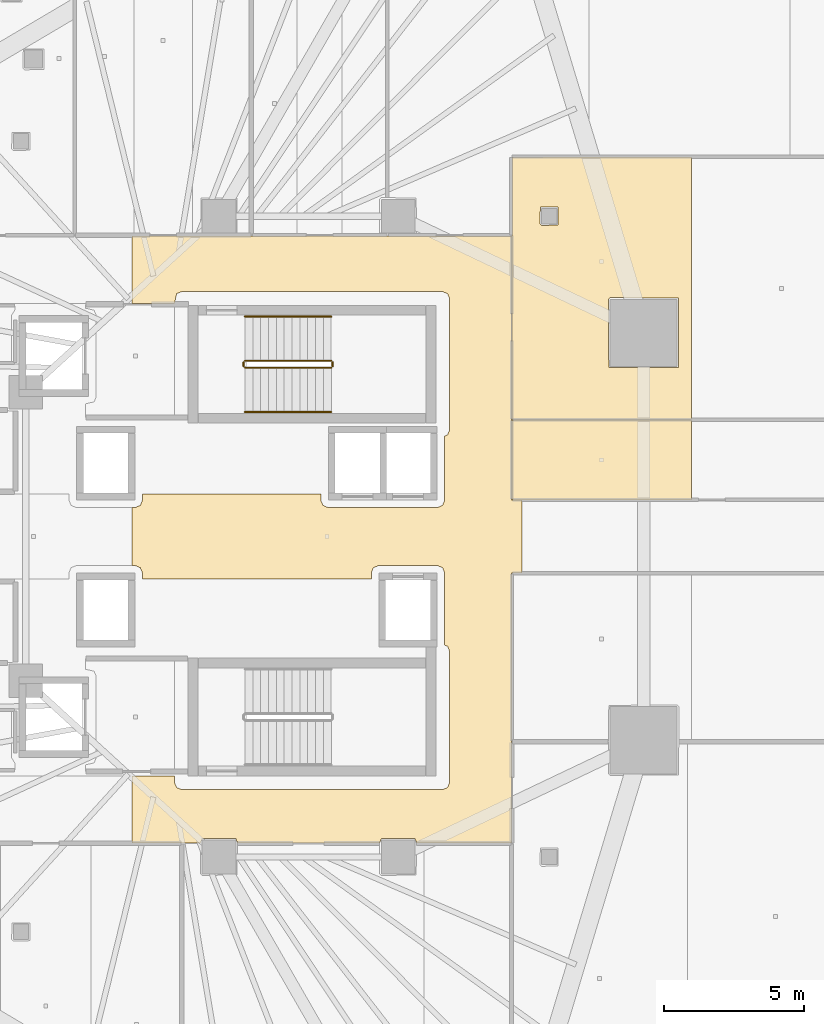
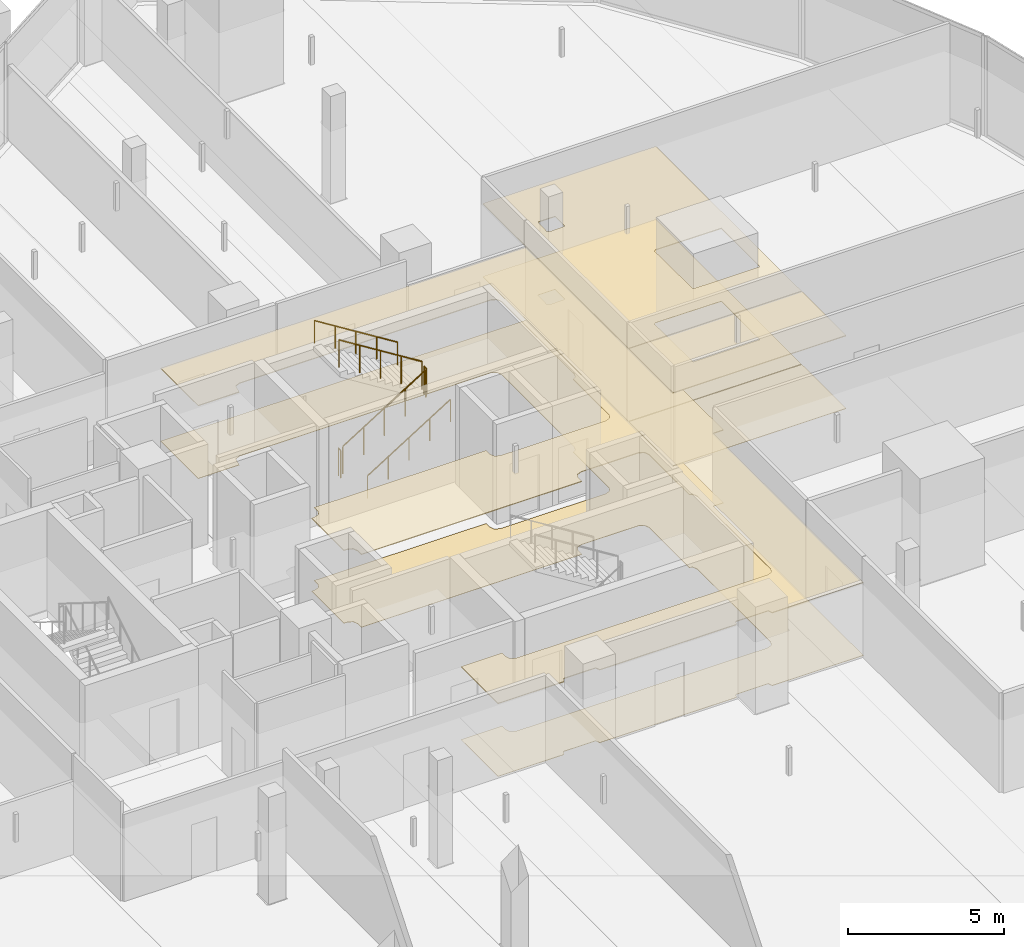
# One storey, part 44 of 45: 6 coverings, 6 railings.
"""IFC4 building model written with IfcOpenShell, lengths in metres."""

import ifcopenshell
import ifcopenshell.guid

model = None  # the IFC model being written
_history = None  # IfcOwnerHistory: only IFC2X3 demands one
_inside = {}  # id of a spatial element -> (the spatial element, [elements in it])
_under = {}  # id of a project, library or spatial element -> (it, [spatial elements below it])
_declared = {}  # id of a project -> (the project, [libraries it declares])
_typed = {}  # id of a type object -> (the type object, [elements of that type])
_made_of = {}  # id of a material, layer set ... -> (it, [elements and type objects made of it])


def new_model(schema):
    """Start an empty IFC model of exactly this schema.

    Asked for "IFC4X3", IfcOpenShell would pick the latest addendum, in which some entities
    have other attributes; the version numbers below select the first issue.
    IFC2X3 requires an IfcOwnerHistory on every rooted entity: one is made here for all.
    """
    global model, _history
    if schema == "IFC4X3":
        model = ifcopenshell.file(schema_version=(4, 3, 0, 0))
    else:
        model = ifcopenshell.file(schema=schema)
    _inside.clear()
    _under.clear()
    _declared.clear()
    _typed.clear()
    _made_of.clear()
    _history = None
    if model.schema == "IFC2X3":
        org = make("IfcOrganization", Name="unknown")
        user = make(
            "IfcPersonAndOrganization",
            ThePerson=make("IfcPerson", FamilyName="unknown"),
            TheOrganization=org,
        )
        app = make(
            "IfcApplication",
            ApplicationDeveloper=org,
            Version="unknown",
            ApplicationFullName="unknown",
            ApplicationIdentifier="unknown",
        )
        _history = make(
            "IfcOwnerHistory",
            OwningUser=user,
            OwningApplication=app,
            ChangeAction="ADDED",
            CreationDate=0,
        )
    return model


def make(cls, **values):
    """One entity of the class cls with the attributes given. An attribute that is None is left unset."""
    return model.create_entity(
        cls, **{name: value for name, value in values.items() if value is not None}
    )


def rooted(cls, **values):
    """An entity with a GlobalId (a new one), such as an element, a storey or a relation."""
    return make(cls, GlobalId=ifcopenshell.guid.new(), OwnerHistory=_history, **values)


def si_unit(unit_type, name, prefix=None):
    """IfcSIUnit, for example si_unit("LENGTHUNIT", "METRE", prefix="MILLI")."""
    return make("IfcSIUnit", UnitType=unit_type, Prefix=prefix, Name=name)


def assignment(units):
    """IfcUnitAssignment: the units of a project."""
    return None if units is None else make("IfcUnitAssignment", Units=units)


def point(xyz):
    """IfcCartesianPoint."""
    return None if xyz is None else make("IfcCartesianPoint", Coordinates=xyz)


def direction(xyz):
    """IfcDirection."""
    return None if xyz is None else make("IfcDirection", DirectionRatios=xyz)


def frame(location, z_axis=None, x_axis=None):
    """IfcAxis2Placement3D, a coordinate frame: its origin and axes. An axis left out is left unset."""
    return make(
        "IfcAxis2Placement3D",
        Location=point(location),
        Axis=direction(z_axis),
        RefDirection=direction(x_axis),
    )


def frame_2d(location, x_axis=None):
    """IfcAxis2Placement2D, a coordinate frame in the plane: its origin and x axis."""
    return make(
        "IfcAxis2Placement2D", Location=point(location), RefDirection=direction(x_axis)
    )


def origin():
    """The frame at (0, 0, 0) with its axes left unset."""
    return frame((0.0, 0.0, 0.0))


def origin_2d():
    """The frame at (0, 0) in the plane with its x axis left unset."""
    return frame_2d((0.0, 0.0))


def place(relative_to, where):
    """IfcLocalPlacement: puts the frame where relative to a parent placement (None: the world)."""
    return make(
        "IfcLocalPlacement", PlacementRelTo=relative_to, RelativePlacement=where
    )


def context(
    kind, dimensions, precision=None, world=None, true_north=None, identifier=None
):
    """IfcGeometricRepresentationContext, for example the 3D "Model" context."""
    return make(
        "IfcGeometricRepresentationContext",
        ContextIdentifier=identifier,
        ContextType=kind,
        CoordinateSpaceDimension=dimensions,
        Precision=precision,
        WorldCoordinateSystem=world,
        TrueNorth=true_north,
    )


def subcontext(parent, identifier, kind, view, scale=None):
    """IfcGeometricRepresentationSubContext, for example "Body" below "Model"."""
    return make(
        "IfcGeometricRepresentationSubContext",
        ContextIdentifier=identifier,
        ContextType=kind,
        ParentContext=parent,
        TargetScale=scale,
        TargetView=view,
    )


def project(units=None, contexts=None):
    """IfcProject with its units and contexts."""
    return rooted(
        "IfcProject",
        Name="project",
        RepresentationContexts=contexts,
        UnitsInContext=assignment(units),
    )


def spatial(cls, under=None, at=None, **own):
    """A site, building, storey or space (cls), placed at a placement, below another one or the project."""
    s = rooted(cls, ObjectPlacement=at, **own)
    if under is not None:
        _under.setdefault(under.id(), (under, []))[1].append(s)
    return s


def polyline(points):
    """IfcPolyline through the points."""
    return make("IfcPolyline", Points=[point(p) for p in points])


def profile(cls, at=None, kind="AREA", **sizes):
    """A parametric profile (cls). Its sizes go by their IFC names, for example OverallWidth=200.0."""
    return make(cls, ProfileType=kind, Position=at, **sizes)


def circle(**sizes):
    """IfcCircleProfileDef."""
    return profile("IfcCircleProfileDef", **sizes)


def outline(outer, holes=None, kind="AREA"):
    """IfcArbitraryClosedProfileDef: a profile drawn as a closed curve; with holes, ...WithVoids."""
    if holes is None:
        return make("IfcArbitraryClosedProfileDef", ProfileType=kind, OuterCurve=outer)
    return make(
        "IfcArbitraryProfileDefWithVoids",
        ProfileType=kind,
        OuterCurve=outer,
        InnerCurves=holes,
    )


def extrude(swept, where, along, depth):
    """IfcExtrudedAreaSolid: the profile swept, set in the frame where, extruded along a direction by depth."""
    return make(
        "IfcExtrudedAreaSolid",
        SweptArea=swept,
        Position=where,
        ExtrudedDirection=direction(along),
        Depth=depth,
    )


def shape(context_of_items, identifier, shape_type, items):
    """IfcShapeRepresentation: the items that make up one representation, for example the "Body"."""
    return make(
        "IfcShapeRepresentation",
        ContextOfItems=context_of_items,
        RepresentationIdentifier=identifier,
        RepresentationType=shape_type,
        Items=items,
    )


def material(Name=None, Category=None):
    """IfcMaterial."""
    return make("IfcMaterial", Name=Name, Category=Category)


def layer(
    of_material, thickness, ventilated=None, Name=None, Category=None, Priority=None
):
    """IfcMaterialLayer: one layer of a wall or slab, of a material (None: an air gap)."""
    return make(
        "IfcMaterialLayer",
        Material=of_material,
        LayerThickness=thickness,
        IsVentilated=ventilated,
        Name=Name,
        Category=Category,
        Priority=Priority,
    )


def layer_set(layers, Name=None):
    """IfcMaterialLayerSet."""
    return make("IfcMaterialLayerSet", MaterialLayers=layers, LayerSetName=Name)


def made_of(thing, what):
    """Note that an element or type object is made of a material, layer set ...; save() writes the relation."""
    if what is not None:
        _made_of.setdefault(what.id(), (what, []))[1].append(thing)
    return thing


def type_object(cls, material=None, **own):
    """A type object (cls), such as IfcWallType, which elements share."""
    return made_of(rooted(cls, **own), material)


def element(
    cls,
    number,
    at=None,
    inside=None,
    cuts=None,
    type_object=None,
    material=None,
    context=None,
    identifier="Body",
    shape_type=None,
    held_by="IfcProductDefinitionShape",
    body=None,
    shapes=None,
    **own,
):
    """One element of the class cls, such as IfcWall. Its Tag is "e" and its number.

    at: its placement. inside: the storey or other place that contains it. cuts: it is an
    opening in that element (IfcRelVoidsElement). A single representation is given by context,
    identifier, shape_type and body (its items); several are given by shapes. held_by: the class
    of the entity that holds the representations. save() writes the other relations.
    """
    e = rooted(cls, Tag="e%d" % number, ObjectPlacement=at, **own)
    if body is not None:
        shapes = [shape(context, identifier, shape_type, body)]
    if shapes is not None:
        e.Representation = make(held_by, Representations=shapes)
    if inside is not None:
        _inside.setdefault(inside.id(), (inside, []))[1].append(e)
    if cuts is not None:
        rooted(
            "IfcRelVoidsElement", RelatingBuildingElement=cuts, RelatedOpeningElement=e
        )
    if type_object is not None:
        _typed.setdefault(type_object.id(), (type_object, []))[1].append(e)
    return made_of(e, material)


def aggregate(whole, parts):
    """IfcRelAggregates: a whole, such as a stair, and the parts it consists of."""
    return rooted("IfcRelAggregates", RelatingObject=whole, RelatedObjects=parts)


def save(model, path):
    """Write the relations noted so far, then the file.

    IfcRelAggregates (storeys below a building ...), IfcRelContainedInSpatialStructure (elements
    in a storey), IfcRelDefinesByType, IfcRelAssociatesMaterial and IfcRelDeclares: one each for
    every whole, place, type object, material and project.
    """
    for whole, parts in _under.values():
        aggregate(whole, parts)
    for where, things in _inside.values():
        rooted(
            "IfcRelContainedInSpatialStructure",
            RelatedElements=things,
            RelatingStructure=where,
        )
    for kind, things in _typed.values():
        rooted("IfcRelDefinesByType", RelatedObjects=things, RelatingType=kind)
    for what, things in _made_of.values():
        rooted("IfcRelAssociatesMaterial", RelatedObjects=things, RelatingMaterial=what)
    for by, libraries in _declared.values():
        rooted("IfcRelDeclares", RelatingContext=by, RelatedDefinitions=libraries)
    model.write(path)


model = new_model("IFC4")

# Units and contexts
model_context = context("Model", 3, precision=1e-05, world=origin(), true_north=direction((0.0, 1.0)))
body_context = subcontext(model_context, "Body", "Model", "MODEL_VIEW")
ifc_project = project(units=[si_unit("LENGTHUNIT", "METRE"), si_unit("AREAUNIT", "SQUARE_METRE"), si_unit("VOLUMEUNIT", "CUBIC_METRE"), si_unit("PLANEANGLEUNIT", "RADIAN"), si_unit("MASSUNIT", "GRAM", prefix="KILO")], contexts=[model_context])

# Site, building, storey
site_placement = place(None, origin())
site = spatial("IfcSite", under=ifc_project, at=site_placement, CompositionType="ELEMENT")
building_placement = place(site_placement, origin())
building = spatial("IfcBuilding", under=site, at=building_placement, Name="Qorvath Tower", CompositionType="ELEMENT")
storey_placement = place(building_placement, frame((0.0, 0.0, 66.0)))
storey = spatial("IfcBuildingStorey", under=building, at=storey_placement, Name="L14", CompositionType="ELEMENT", Elevation=66.0)

# Coverings
ifc_material_1 = material(Name="Acoustic mineral fibre ceiling tile", Category="gypsum")
ifc_layer_1 = layer(ifc_material_1, 0.030029296875)
ifc_layer_set_1 = layer_set([ifc_layer_1], Name="COV-CEIL")
covering_type_1 = type_object("IfcCoveringType", Name="COV-CEIL", PredefinedType="CEILING", material=ifc_layer_set_1)
covering_1_placement = place(storey_placement, frame((0.0, 0.0, 2.85009765625)))
element("IfcCovering", 1, at=covering_1_placement, inside=storey, type_object=covering_type_1, Name="L14 Suspended Acoustic Ceiling 009", PredefinedType="CEILING", context=body_context, shape_type="SweptSolid", body=[
    extrude(outline(polyline([(-13.155029296875, 1.300048828125), (-13.155029296875, 10.7451171875), (-26.71240234375, 10.7451171875), (-26.71240234375, 8.324951171875), (-25.18994140625, 8.324951171875), (-25.11669921875, 8.6767578125), (-24.93994140625, 8.75), (-15.610107421875, 8.75), (-15.433349609375, 8.6767578125), (-15.360107421875, 8.5), (-15.360107421875, 3.81005859375), (-15.433349609375, 3.63330078125), (-15.5400390625, 3.589111328125), (-15.5400390625, 1.2900390625), (-15.61328125, 1.11328125), (-15.7900390625, 1.0400390625), (-19.7099609375, 1.0400390625), (-19.88671875, 1.11328125), (-19.9599609375, 1.2900390625), (-19.9599609375, 1.514892578125), (-26.340087890625, 1.514892578125), (-26.340087890625, 1.2900390625), (-26.413330078125, 1.11328125), (-26.590087890625, 1.0400390625), (-26.71240234375, 1.0400390625), (-26.71240234375, -1.0400390625), (-26.590087890625, -1.0400390625), (-26.413330078125, -1.11328125), (-26.340087890625, -1.2900390625), (-26.340087890625, -1.514892578125), (-18.159912109375, -1.514892578125), (-18.159912109375, -1.2900390625), (-18.086669921875, -1.11328125), (-17.909912109375, -1.0400390625), (-15.7900390625, -1.0400390625), (-15.61328125, -1.11328125), (-15.5400390625, -1.2900390625), (-15.5400390625, -3.879150390625), (-15.433349609375, -3.92333984375), (-15.360107421875, -4.10009765625), (-15.360107421875, -8.7900390625), (-15.433349609375, -8.966796875), (-15.610107421875, -9.0400390625), (-24.93994140625, -9.0400390625), (-25.11669921875, -8.966796875), (-25.18994140625, -8.7900390625), (-25.18994140625, -8.56396484375), (-26.71240234375, -8.564208984375), (-26.71240234375, -10.945068359375), (-24.260009765625, -10.945068359375), (-24.199951171875, -10.7900390625), (-23.0, -10.7900390625), (-22.93994140625, -10.945068359375), (-17.860107421875, -10.945068359375), (-17.800048828125, -10.7900390625), (-16.60009765625, -10.7900390625), (-16.5400390625, -10.945068359375), (-13.155029296875, -10.945068359375), (-13.153564453125, -1.29638671875), (-12.780029296875, -1.29638671875), (-12.780029296875, 1.2998046875), (-13.155029296875, 1.300048828125)])), origin(), (0.0, 0.0, 1.0), 0.030029296875),
])
covering_2_placement = place(storey_placement, frame((0.0, 0.0, 2.85009765625)))
element("IfcCovering", 2, at=covering_2_placement, inside=storey, type_object=covering_type_1, Name="L14 Suspended Acoustic Ceiling 031", PredefinedType="CEILING", context=body_context, shape_type="SweptSolid", body=[
    extrude(outline(polyline([(-6.71728515625, 1.31298828125), (-6.71728515625, 4.160888671875), (-13.136962890625, 4.160888671875), (-13.136962890625, 1.31298828125), (-6.71728515625, 1.31298828125)])), origin(), (0.0, 0.0, 1.0), 0.030029296875),
])
covering_3_placement = place(storey_placement, frame((0.0, 0.0, 2.85009765625)))
element("IfcCovering", 3, at=covering_3_placement, inside=storey, type_object=covering_type_1, Name="L14 Suspended Acoustic Ceiling 033", PredefinedType="CEILING", context=body_context, shape_type="SweptSolid", body=[
    extrude(outline(polyline([(-6.71728515625, 4.178955078125), (-6.71728515625, 13.556396484375), (-13.136962890625, 13.5517578125), (-13.136962890625, 4.178955078125), (-6.71728515625, 4.178955078125)]), holes=[polyline([(-9.690185546875, 8.476318359375), (-9.63037109375, 8.536376953125), (-7.18798828125, 8.518798828125), (-7.18798828125, 6.033935546875), (-9.672607421875, 6.033935546875), (-9.690185546875, 8.476318359375)]), polyline([(-12.135009765625, 11.175048828125), (-12.117431640625, 11.767333984375), (-11.482666015625, 11.767333984375), (-11.482666015625, 11.132568359375), (-12.074951171875, 11.114990234375), (-12.135009765625, 11.175048828125)])]), origin(), (0.0, 0.0, 1.0), 0.030029296875),
])
ifc_material_2 = material(Name="Low-VOC modular carpet tile", Category="textile")
ifc_layer_2 = layer(ifc_material_2, 0.014892578125)
ifc_layer_set_2 = layer_set([ifc_layer_2], Name="COV-FLOOR-CPT")
covering_type_2 = type_object("IfcCoveringType", Name="COV-FLOOR-CPT", PredefinedType="FLOORING", material=ifc_layer_set_2)
covering_4_placement = place(storey_placement, origin())
element("IfcCovering", 4, at=covering_4_placement, inside=storey, type_object=covering_type_2, Name="L14 Floor Finish 031", PredefinedType="FLOORING", context=body_context, shape_type="SweptSolid", body=[
    extrude(outline(polyline([(-6.71728515625, 1.31298828125), (-6.71728515625, 4.160888671875), (-13.136962890625, 4.160888671875), (-13.136962890625, 1.31298828125), (-6.71728515625, 1.31298828125)])), origin(), (0.0, 0.0, 1.0), 0.014892578125),
])
covering_5_placement = place(storey_placement, origin())
element("IfcCovering", 5, at=covering_5_placement, inside=storey, type_object=covering_type_2, Name="L14 Floor Finish 033", PredefinedType="FLOORING", context=body_context, shape_type="SweptSolid", body=[
    extrude(outline(polyline([(-6.71728515625, 4.178955078125), (-6.71728515625, 13.556396484375), (-13.136962890625, 13.5517578125), (-13.136962890625, 4.178955078125), (-6.71728515625, 4.178955078125)]), holes=[polyline([(-9.690185546875, 8.476318359375), (-9.63037109375, 8.536376953125), (-7.18798828125, 8.518798828125), (-7.18798828125, 6.033935546875), (-9.672607421875, 6.033935546875), (-9.690185546875, 8.476318359375)]), polyline([(-12.135009765625, 11.175048828125), (-12.117431640625, 11.767333984375), (-11.482666015625, 11.767333984375), (-11.482666015625, 11.132568359375), (-12.074951171875, 11.114990234375), (-12.135009765625, 11.175048828125)])]), origin(), (0.0, 0.0, 1.0), 0.014892578125),
])
ifc_material_3 = material(Name="Polished epoxy terrazzo flooring", Category="concrete")
ifc_layer_3 = layer(ifc_material_3, 0.02001953125)
ifc_layer_set_3 = layer_set([ifc_layer_3], Name="COV-FLOOR-TRZ")
covering_type_3 = type_object("IfcCoveringType", Name="COV-FLOOR-TRZ", PredefinedType="FLOORING", material=ifc_layer_set_3)
covering_6_placement = place(storey_placement, origin())
element("IfcCovering", 6, at=covering_6_placement, inside=storey, type_object=covering_type_3, Name="L14 Floor Finish 009", PredefinedType="FLOORING", context=body_context, shape_type="SweptSolid", body=[
    extrude(outline(polyline([(-13.155029296875, 1.300048828125), (-13.155029296875, 10.7451171875), (-26.71240234375, 10.7451171875), (-26.71240234375, 8.324951171875), (-25.18994140625, 8.324951171875), (-25.11669921875, 8.6767578125), (-24.93994140625, 8.75), (-15.610107421875, 8.75), (-15.433349609375, 8.6767578125), (-15.360107421875, 8.5), (-15.360107421875, 3.81005859375), (-15.433349609375, 3.63330078125), (-15.5400390625, 3.589111328125), (-15.5400390625, 1.2900390625), (-15.61328125, 1.11328125), (-15.7900390625, 1.0400390625), (-19.7099609375, 1.0400390625), (-19.88671875, 1.11328125), (-19.9599609375, 1.2900390625), (-19.9599609375, 1.514892578125), (-26.340087890625, 1.514892578125), (-26.340087890625, 1.2900390625), (-26.413330078125, 1.11328125), (-26.590087890625, 1.0400390625), (-26.71240234375, 1.0400390625), (-26.71240234375, -1.0400390625), (-26.590087890625, -1.0400390625), (-26.413330078125, -1.11328125), (-26.340087890625, -1.2900390625), (-26.340087890625, -1.514892578125), (-18.159912109375, -1.514892578125), (-18.159912109375, -1.2900390625), (-18.086669921875, -1.11328125), (-17.909912109375, -1.0400390625), (-15.7900390625, -1.0400390625), (-15.61328125, -1.11328125), (-15.5400390625, -1.2900390625), (-15.5400390625, -3.879150390625), (-15.433349609375, -3.92333984375), (-15.360107421875, -4.10009765625), (-15.360107421875, -8.7900390625), (-15.433349609375, -8.966796875), (-15.610107421875, -9.0400390625), (-24.93994140625, -9.0400390625), (-25.11669921875, -8.966796875), (-25.18994140625, -8.7900390625), (-25.18994140625, -8.56396484375), (-26.71240234375, -8.564208984375), (-26.71240234375, -10.945068359375), (-24.260009765625, -10.945068359375), (-24.199951171875, -10.7900390625), (-23.0, -10.7900390625), (-22.93994140625, -10.945068359375), (-17.860107421875, -10.945068359375), (-17.800048828125, -10.7900390625), (-16.60009765625, -10.7900390625), (-16.5400390625, -10.945068359375), (-13.155029296875, -10.945068359375), (-13.153564453125, -1.29638671875), (-12.780029296875, -1.29638671875), (-12.780029296875, 1.2998046875), (-13.155029296875, 1.300048828125)])), origin(), (0.0, 0.0, 1.0), 0.014892578125),
])

# Railings
ifc_material_4 = material(Name="Painted galvanised steel", Category="steel")
railing_type_1 = type_object("IfcRailingType", Name="RL-STR-GRD", PredefinedType="GUARDRAIL", material=ifc_material_4)
railing_1_placement = place(storey_placement, frame((-22.669921875, 6.030029296875, 0.175048828125)))
element("IfcRailing", 7, at=railing_1_placement, inside=storey, type_object=railing_type_1, Name="L14 TS1 stair guard 1", PredefinedType="GUARDRAIL", context=body_context, shape_type="SweptSolid", body=[
    extrude(circle(Radius=0.02392578125, at=origin_2d()), frame((0.0, 0.0, 1.076171875), z_axis=(0.847979421464, 0.0, 0.530029150871), x_axis=(0.0, 1.0, 0.0)), (0.0, 0.0, 1.0), 3.632080078125),
    extrude(circle(Radius=0.02099609375, at=origin_2d()), origin(), (0.0, 0.0, 1.0), 1.052001953125),
    extrude(circle(Radius=0.02099609375, at=origin_2d()), frame((0.77001953125, 0.0, 0.481201171875)), (0.0, 0.0, 1.0), 1.052001953125),
    extrude(circle(Radius=0.02099609375, at=origin_2d()), frame((1.5400390625, 0.0, 0.96240234375)), (0.0, 0.0, 1.0), 1.052001953125),
    extrude(circle(Radius=0.02099609375, at=origin_2d()), frame((2.309814453125, 0.0, 1.44384765625)), (0.0, 0.0, 1.0), 1.052001953125),
    extrude(circle(Radius=0.02099609375, at=origin_2d()), frame((3.079833984375, 0.0, 1.925048828125)), (0.0, 0.0, 1.0), 1.052001953125),
])
railing_2_placement = place(storey_placement, frame((-19.5400390625, 6.080078125, 2.10009765625)))
element("IfcRailing", 8, at=railing_2_placement, inside=storey, type_object=railing_type_1, Name="L14 TS1 stair guard 2", PredefinedType="GUARDRAIL", context=body_context, shape_type="SweptSolid", body=[
    extrude(circle(Radius=0.02392578125, at=origin_2d()), frame((0.0, 0.0, 1.076171875), z_axis=(0.0, 1.0, 0.0), x_axis=(-1.0, 0.0, 0.0)), (0.0, 0.0, 1.0), 0.14990234375),
    extrude(circle(Radius=0.02099609375, at=origin_2d()), origin(), (0.0, 0.0, 1.0), 1.052001953125),
    extrude(circle(Radius=0.02099609375, at=origin_2d()), frame((0.0, 0.14990234375, 0.0)), (0.0, 0.0, 1.0), 1.052001953125),
])
railing_3_placement = place(storey_placement, frame((-19.590087890625, 6.280029296875, 2.27490234375)))
element("IfcRailing", 9, at=railing_3_placement, inside=storey, type_object=railing_type_1, Name="L14 TS1 stair guard 3", PredefinedType="GUARDRAIL", context=body_context, shape_type="SweptSolid", body=[
    extrude(circle(Radius=0.02392578125, at=origin_2d()), frame((0.0, 0.0, 1.076171875), z_axis=(-0.847979421464, 0.0, 0.530029150871), x_axis=(0.0, -1.0, 0.0)), (0.0, 0.0, 1.0), 3.632080078125),
    extrude(circle(Radius=0.02099609375, at=origin_2d()), origin(), (0.0, 0.0, 1.0), 1.052001953125),
    extrude(circle(Radius=0.02099609375, at=origin_2d()), frame((-0.77001953125, 0.0, 0.481201171875)), (0.0, 0.0, 1.0), 1.052001953125),
    extrude(circle(Radius=0.02099609375, at=origin_2d()), frame((-1.5400390625, 0.0, 0.96240234375)), (0.0, 0.0, 1.0), 1.052001953125),
    extrude(circle(Radius=0.02099609375, at=origin_2d()), frame((-2.309814453125, 0.0, 1.44384765625)), (0.0, 0.0, 1.0), 1.052001953125),
    extrude(circle(Radius=0.02099609375, at=origin_2d()), frame((-3.079833984375, 0.0, 1.925048828125)), (0.0, 0.0, 1.0), 1.052001953125),
])
railing_4_placement = place(storey_placement, frame((-22.719970703125, 6.080078125, 0.0)))
element("IfcRailing", 10, at=railing_4_placement, inside=storey, type_object=railing_type_1, Name="L14 TS1 stair guard 4", PredefinedType="GUARDRAIL", context=body_context, shape_type="SweptSolid", body=[
    extrude(circle(Radius=0.02392578125, at=origin_2d()), frame((0.0, 0.0, 1.076171875), z_axis=(0.0, 1.0, 0.0), x_axis=(-1.0, 0.0, 0.0)), (0.0, 0.0, 1.0), 0.14990234375),
    extrude(circle(Radius=0.02099609375, at=origin_2d()), origin(), (0.0, 0.0, 1.0), 1.052001953125),
    extrude(circle(Radius=0.02099609375, at=origin_2d()), frame((0.0, 0.14990234375, 0.0)), (0.0, 0.0, 1.0), 1.052001953125),
])
ifc_material_5 = material(Name="Brushed stainless steel AISI 304", Category="steel")
railing_type_2 = type_object("IfcRailingType", Name="RL-STR-HND", PredefinedType="HANDRAIL", material=ifc_material_5)
railing_5_placement = place(storey_placement, frame((-22.669921875, 4.449951171875, 0.175048828125)))
element("IfcRailing", 11, at=railing_5_placement, inside=storey, type_object=railing_type_2, Name="L14 TS1 stair handrail 1", PredefinedType="HANDRAIL", context=body_context, shape_type="SweptSolid", body=[
    extrude(circle(Radius=0.02392578125, at=origin_2d()), frame((0.0, 0.0, 0.8759765625), z_axis=(0.847979421464, 0.0, 0.530029150871), x_axis=(0.0, 1.0, 0.0)), (0.0, 0.0, 1.0), 3.632080078125),
    extrude(circle(Radius=0.02099609375, at=origin_2d()), origin(), (0.0, 0.0, 1.0), 0.851806640625),
    extrude(circle(Radius=0.02099609375, at=origin_2d()), frame((0.77001953125, 0.0, 0.481201171875)), (0.0, 0.0, 1.0), 0.851806640625),
    extrude(circle(Radius=0.02099609375, at=origin_2d()), frame((1.5400390625, 0.0, 0.96240234375)), (0.0, 0.0, 1.0), 0.851806640625),
    extrude(circle(Radius=0.02099609375, at=origin_2d()), frame((2.309814453125, 0.0, 1.44384765625)), (0.0, 0.0, 1.0), 0.851806640625),
    extrude(circle(Radius=0.02099609375, at=origin_2d()), frame((3.079833984375, 0.0, 1.925048828125)), (0.0, 0.0, 1.0), 0.851806640625),
])
railing_6_placement = place(storey_placement, frame((-19.590087890625, 7.860107421875, 2.27490234375)))
element("IfcRailing", 12, at=railing_6_placement, inside=storey, type_object=railing_type_2, Name="L14 TS1 stair handrail 2", PredefinedType="HANDRAIL", context=body_context, shape_type="SweptSolid", body=[
    extrude(circle(Radius=0.02392578125, at=origin_2d()), frame((0.0, 0.0, 0.8759765625), z_axis=(-0.847979421464, 0.0, 0.530029150871), x_axis=(0.0, -1.0, 0.0)), (0.0, 0.0, 1.0), 3.632080078125),
    extrude(circle(Radius=0.02099609375, at=origin_2d()), origin(), (0.0, 0.0, 1.0), 0.851806640625),
    extrude(circle(Radius=0.02099609375, at=origin_2d()), frame((-0.77001953125, 0.0, 0.481201171875)), (0.0, 0.0, 1.0), 0.851806640625),
    extrude(circle(Radius=0.02099609375, at=origin_2d()), frame((-1.5400390625, 0.0, 0.96240234375)), (0.0, 0.0, 1.0), 0.851806640625),
    extrude(circle(Radius=0.02099609375, at=origin_2d()), frame((-2.309814453125, 0.0, 1.44384765625)), (0.0, 0.0, 1.0), 0.851806640625),
    extrude(circle(Radius=0.02099609375, at=origin_2d()), frame((-3.079833984375, 0.0, 1.925048828125)), (0.0, 0.0, 1.0), 0.851806640625),
])

save(model, "model.ifc")
